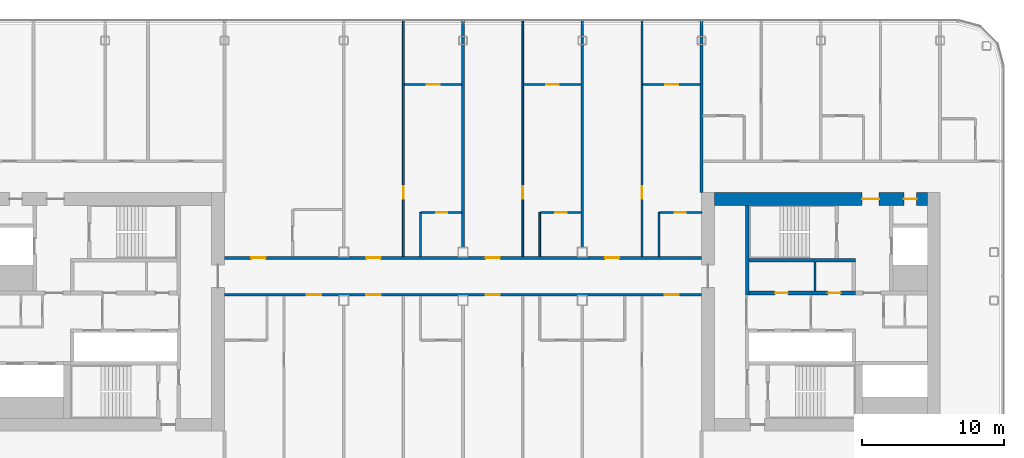
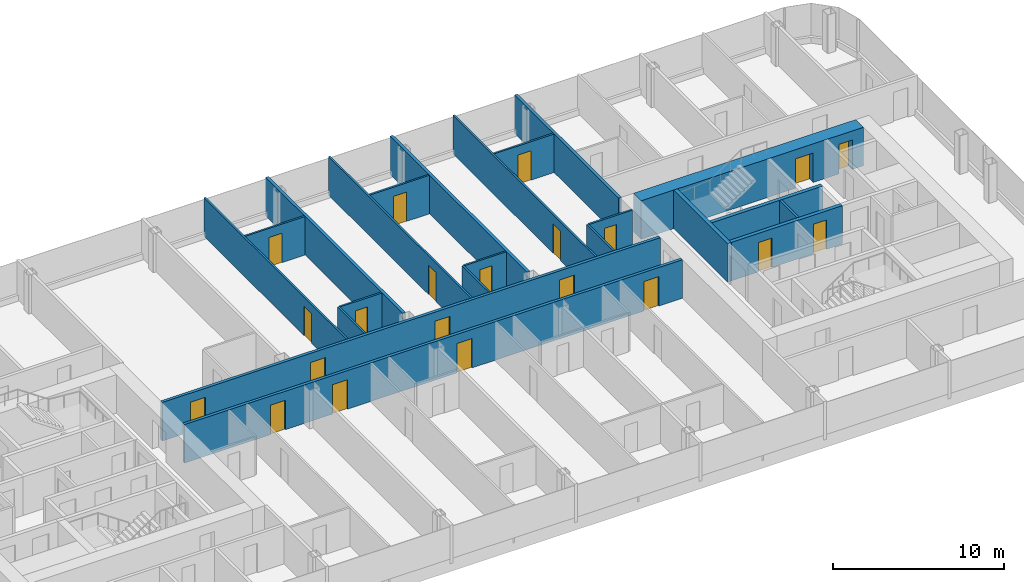
# One storey, part 16 of 26: 22 walls, 21 doors, 21 openings.
"""IFC4 building model written with IfcOpenShell, lengths in metres."""

from ifc_helpers import new_model, si_unit, direction, frame, frame_2d, origin, place, context, subcontext, project, spatial, rectangle, extrude, material, layer, layer_set, type_object, element, fill, save


model = new_model("IFC4")

# Units and contexts
model_context = context("Model", 3, precision=1e-05, world=origin(), true_north=direction((0.0, 1.0)))
body_context = subcontext(model_context, "Body", "Model", "MODEL_VIEW")
ifc_project = project(units=[si_unit("LENGTHUNIT", "METRE"), si_unit("AREAUNIT", "SQUARE_METRE"), si_unit("VOLUMEUNIT", "CUBIC_METRE"), si_unit("PLANEANGLEUNIT", "RADIAN"), si_unit("MASSUNIT", "GRAM", prefix="KILO")], contexts=[model_context])

# Site, building, storey
site_placement = place(None, origin())
site = spatial("IfcSite", under=ifc_project, at=site_placement, CompositionType="ELEMENT")
building_placement = place(site_placement, origin())
building = spatial("IfcBuilding", under=site, at=building_placement, Name="Hakoniwa Tower and Hamabe Station Hall", CompositionType="ELEMENT")
storey_placement = place(building_placement, frame((0.0, 0.0, 215.39990234375)))
storey = spatial("IfcBuildingStorey", under=building, at=storey_placement, Name="L61", CompositionType="ELEMENT", Elevation=215.39990234375)

# Wall, opening, door
ifc_material_1 = material(Name="Gypsum board partition", Category="gypsum")
ifc_layer_1 = layer(ifc_material_1, 0.125)
ifc_layer_set_1 = layer_set([ifc_layer_1], Name="Bathroom Partition 125")
wall_type_1 = type_object("IfcWallType", Name="Bathroom Partition 125", PredefinedType="PARTITIONING", material=ifc_layer_set_1)
wall_1_placement = place(storey_placement, frame((-2.9375, 7.0, 0.0), z_axis=(0.0, 0.0, 1.0), x_axis=(1.0, 0.0, 0.0)))
wall_1 = element("IfcWall", 1, at=wall_1_placement, inside=storey, type_object=wall_type_1, Name="GW-L61-011", PredefinedType="PARTITIONING", context=body_context, shape_type="SweptSolid", body=[
    extrude(rectangle(XDim=2.83740234375, YDim=0.125, at=frame_2d((1.418701171875, 0.0))), origin(), (0.0, 0.0, 1.0), 2.75),
])
opening_1_placement = place(wall_1_placement, frame((1.03759765625, 0.0, 0.0)))
opening_1 = element("IfcOpeningElement", 2, at=opening_1_placement, cuts=wall_1, Name="Opening GD-G4E1-25", PredefinedType="OPENING", context=body_context, shape_type="SweptSolid", body=[
    extrude(rectangle(XDim=0.800048828125, YDim=2.10009765625, at=frame_2d((0.39990234375, 1.050048828125))), frame((0.0, 0.072509765625, 0.0), z_axis=(0.0, -1.0, 0.0), x_axis=(1.0, 0.0, 0.0)), (0.0, 0.0, 1.0), 0.14501953125),
])
ifc_material_2 = material(Name="Timber door leaf", Category="wood")
door_type_1 = type_object("IfcDoorType", Name="Bathroom Door 800", OperationType="SINGLE_SWING_LEFT", PredefinedType="DOOR", material=ifc_material_2)
door_1_placement = place(opening_1_placement, origin())
door_1 = element("IfcDoor", 3, at=door_1_placement, inside=storey, type_object=door_type_1, Name="Door GD-G4E1-25", OperationType="SINGLE_SWING_LEFT", OverallHeight=2.10009765625, OverallWidth=0.800048828125, PredefinedType="DOOR", context=body_context, shape_type="SweptSolid", body=[
    extrude(rectangle(XDim=0.800048828125, YDim=2.10009765625, at=frame_2d((0.39990234375, 1.050048828125))), frame((0.0, 0.02490234375, 0.0), z_axis=(0.0, -1.0, 0.0), x_axis=(1.0, 0.0, 0.0)), (0.0, 0.0, 1.0), 0.050048828125),
])
fill(opening_1, door_1)

wall_2_placement = place(storey_placement, frame((5.46240234375, 7.0, 0.0), z_axis=(0.0, 0.0, 1.0), x_axis=(1.0, 0.0, 0.0)))
wall_2 = element("IfcWall", 4, at=wall_2_placement, inside=storey, type_object=wall_type_1, Name="GW-L61-012", PredefinedType="PARTITIONING", context=body_context, shape_type="SweptSolid", body=[
    extrude(rectangle(XDim=2.837646484375, YDim=0.125, at=frame_2d((1.4189453125, 0.0))), origin(), (0.0, 0.0, 1.0), 2.75),
])
opening_2_placement = place(wall_2_placement, frame((1.03759765625, 0.0, 0.0)))
opening_2 = element("IfcOpeningElement", 5, at=opening_2_placement, cuts=wall_2, Name="Opening GD-G4E1-26", PredefinedType="OPENING", context=body_context, shape_type="SweptSolid", body=[
    extrude(rectangle(XDim=0.800048828125, YDim=2.10009765625, at=frame_2d((0.39990234375, 1.050048828125))), frame((0.0, 0.072509765625, 0.0), z_axis=(0.0, -1.0, 0.0), x_axis=(1.0, 0.0, 0.0)), (0.0, 0.0, 1.0), 0.14501953125),
])
door_2_placement = place(opening_2_placement, origin())
door_2 = element("IfcDoor", 6, at=door_2_placement, inside=storey, type_object=door_type_1, Name="Door GD-G4E1-26", OperationType="SINGLE_SWING_RIGHT", OverallHeight=2.10009765625, OverallWidth=0.800048828125, PredefinedType="DOOR", context=body_context, shape_type="SweptSolid", body=[
    extrude(rectangle(XDim=0.800048828125, YDim=2.10009765625, at=frame_2d((0.39990234375, 1.050048828125))), frame((0.0, 0.02490234375, 0.0), z_axis=(0.0, -1.0, 0.0), x_axis=(1.0, 0.0, 0.0)), (0.0, 0.0, 1.0), 0.050048828125),
])
fill(opening_2, door_2)

wall_3_placement = place(storey_placement, frame((13.862548828125, 7.0, 0.0), z_axis=(0.0, 0.0, 1.0), x_axis=(1.0, 0.0, 0.0)))
wall_3 = element("IfcWall", 7, at=wall_3_placement, inside=storey, type_object=wall_type_1, Name="GW-L61-013", PredefinedType="PARTITIONING", context=body_context, shape_type="SweptSolid", body=[
    extrude(rectangle(XDim=2.947509765625, YDim=0.125, at=frame_2d((1.4736328125, 0.0))), origin(), (0.0, 0.0, 1.0), 2.75),
])
opening_3_placement = place(wall_3_placement, frame((1.03759765625, 0.0, 0.0)))
opening_3 = element("IfcOpeningElement", 8, at=opening_3_placement, cuts=wall_3, Name="Opening GD-G4E1-27", PredefinedType="OPENING", context=body_context, shape_type="SweptSolid", body=[
    extrude(rectangle(XDim=0.800048828125, YDim=2.10009765625, at=frame_2d((0.39990234375, 1.050048828125))), frame((0.0, 0.072509765625, 0.0), z_axis=(0.0, -1.0, 0.0), x_axis=(1.0, 0.0, 0.0)), (0.0, 0.0, 1.0), 0.14501953125),
])
door_3_placement = place(opening_3_placement, origin())
door_3 = element("IfcDoor", 9, at=door_3_placement, inside=storey, type_object=door_type_1, Name="Door GD-G4E1-27", OperationType="SINGLE_SWING_LEFT", OverallHeight=2.10009765625, OverallWidth=0.800048828125, PredefinedType="DOOR", context=body_context, shape_type="SweptSolid", body=[
    extrude(rectangle(XDim=0.800048828125, YDim=2.10009765625, at=frame_2d((0.39990234375, 1.050048828125))), frame((0.0, 0.02490234375, 0.0), z_axis=(0.0, -1.0, 0.0), x_axis=(1.0, 0.0, 0.0)), (0.0, 0.0, 1.0), 0.050048828125),
])
fill(opening_3, door_3)

# Walls
for number, where, z_axis, x_axis, name in (
    (10, (-3.0, 3.89990234375, 0.0), (0.0, 0.0, 1.0), (0.0, 1.0, 0.0), "GW-L61-041"),
    (11, (5.39990234375, 3.89990234375, 0.0), (0.0, 0.0, 1.0), (0.0, 1.0, 0.0), "GW-L61-047"),
    (12, (13.800048828125, 3.89990234375, 0.0), (0.0, 0.0, 1.0), (0.0, 1.0, 0.0), "GW-L61-053"),
):
    element("IfcWall", number, at=place(storey_placement, frame(where, z_axis=z_axis, x_axis=x_axis)), inside=storey, type_object=wall_type_1, Name=name, PredefinedType="PARTITIONING", context=body_context, shape_type="SweptSolid", body=[
        extrude(rectangle(XDim=3.10009765625, YDim=0.125, at=frame_2d((1.550048828125, 0.0))), origin(), (0.0, 0.0, 1.0), 2.75),
    ])
ifc_material_3 = material(Name="Gypsum board partition")
ifc_layer_2 = layer(ifc_material_3, 0.14990234375)
ifc_layer_set_2 = layer_set([ifc_layer_2], Name="CORE PARTITION 150 EI 60")
wall_type_2 = type_object("IfcWallType", Name="CORE PARTITION 150 EI 60", PredefinedType="PARTITIONING", material=ifc_layer_set_2)
wall_4_placement = place(storey_placement, frame((24.800048828125, 1.449951171875, 0.0), z_axis=(0.0, 0.0, 1.0), x_axis=(0.0, 1.0, 0.0)))
element("IfcWall", 13, at=wall_4_placement, inside=storey, type_object=wall_type_2, Name="Core partition PFLR0 east", PredefinedType="PARTITIONING", context=body_context, shape_type="SweptSolid", body=[
    extrude(rectangle(XDim=2.050048828125, YDim=0.14990234375, at=frame_2d((1.02490234375, 0.0))), origin(), (0.0, 0.0, 1.0), 2.75),
])

# Wall, openings, doors
ifc_material_4 = material(Name="Concrete C60", Category="concrete")
ifc_layer_3 = layer(ifc_material_4, 0.89990234375)
ifc_layer_set_3 = layer_set([ifc_layer_3], Name="CORE WALL 900 C60")
wall_type_3 = type_object("IfcWallType", Name="CORE WALL 900 C60", PredefinedType="SHEAR", material=ifc_layer_set_3)
wall_5_placement = place(storey_placement, frame((17.699951171875, 7.949951171875, 0.0), z_axis=(0.0, 0.0, 1.0), x_axis=(1.0, 0.0, 0.0)))
wall_5 = element("IfcWall", 14, at=wall_5_placement, inside=storey, type_object=wall_type_3, Name="Core wall NORTH east", PredefinedType="SHEAR", context=body_context, shape_type="SweptSolid", body=[
    extrude(rectangle(XDim=15.0, YDim=0.89990234375, at=frame_2d((7.5, 0.0))), origin(), (0.0, 0.0, 1.0), 2.75),
])
opening_4_placement = place(wall_5_placement, frame((10.39990234375, 0.0, 0.0)))
opening_4 = element("IfcOpeningElement", 15, at=opening_4_placement, cuts=wall_5, Name="Opening CD-E-FN1-12", PredefinedType="OPENING", context=body_context, shape_type="SweptSolid", body=[
    extrude(rectangle(XDim=1.199951171875, YDim=2.10009765625, at=frame_2d((0.60009765625, 1.050048828125))), frame((0.0, 0.4599609375, 0.0), z_axis=(0.0, -1.0, 0.0), x_axis=(1.0, 0.0, 0.0)), (0.0, 0.0, 1.0), 0.919921875),
])
opening_5_placement = place(wall_5_placement, frame((13.35009765625, 0.0, 0.0)))
opening_5 = element("IfcOpeningElement", 16, at=opening_5_placement, cuts=wall_5, Name="Opening CD-E-FN2-9", PredefinedType="OPENING", context=body_context, shape_type="SweptSolid", body=[
    extrude(rectangle(XDim=0.89990234375, YDim=2.10009765625, at=frame_2d((0.449951171875, 1.050048828125))), frame((0.0, 0.4599609375, 0.0), z_axis=(0.0, -1.0, 0.0), x_axis=(1.0, 0.0, 0.0)), (0.0, 0.0, 1.0), 0.919921875),
])
ifc_material_5 = material(Name="Steel fire door", Category="steel")
door_type_2 = type_object("IfcDoorType", Name="CORE DOOR 1200 FD60", OperationType="DOUBLE_DOOR_SINGLE_SWING", PredefinedType="DOOR", material=ifc_material_5)
door_4_placement = place(opening_4_placement, origin())
door_4 = element("IfcDoor", 17, at=door_4_placement, inside=storey, type_object=door_type_2, Name="Stair vestibule door to the fire-fighting lobby", OperationType="DOUBLE_DOOR_SINGLE_SWING", OverallHeight=2.10009765625, OverallWidth=1.199951171875, PredefinedType="DOOR", context=body_context, shape_type="SweptSolid", body=[
    extrude(rectangle(XDim=1.199951171875, YDim=2.10009765625, at=frame_2d((0.60009765625, 1.050048828125))), frame((0.0, 0.02490234375, 0.0), z_axis=(0.0, -1.0, 0.0), x_axis=(1.0, 0.0, 0.0)), (0.0, 0.0, 1.0), 0.050048828125),
])
fill(opening_4, door_4)
ifc_material_6 = material(Name="Steel fire door", Category="steel")
door_type_3 = type_object("IfcDoorType", Name="CORE DOOR 900 FD30", OperationType="NOTDEFINED", PredefinedType="DOOR", material=ifc_material_6)
door_5_placement = place(opening_5_placement, origin())
door_5 = element("IfcDoor", 18, at=door_5_placement, inside=storey, type_object=door_type_3, Name="Riser access door", OperationType="SINGLE_SWING_RIGHT", OverallHeight=2.10009765625, OverallWidth=0.89990234375, PredefinedType="DOOR", context=body_context, shape_type="SweptSolid", body=[
    extrude(rectangle(XDim=0.89990234375, YDim=2.10009765625, at=frame_2d((0.449951171875, 1.050048828125))), frame((0.0, 0.02490234375, 0.0), z_axis=(0.0, -1.0, 0.0), x_axis=(1.0, 0.0, 0.0)), (0.0, 0.0, 1.0), 0.050048828125),
])
fill(opening_5, door_5)

# Wall
ifc_material_7 = material(Name="Concrete C60", Category="concrete")
ifc_layer_4 = layer(ifc_material_7, 0.25)
ifc_layer_set_4 = layer_set([ifc_layer_4], Name="CORE WEB WALL 250 C60")
wall_type_4 = type_object("IfcWallType", Name="CORE WEB WALL 250 C60", PredefinedType="SHEAR", material=ifc_layer_set_4)
wall_6_placement = place(storey_placement, frame((20.02490234375, 1.199951171875, 0.0), z_axis=(0.0, 0.0, 1.0), x_axis=(0.0, 1.0, 0.0)))
element("IfcWall", 19, at=wall_6_placement, inside=storey, type_object=wall_type_4, Name="Core wall W1N east", PredefinedType="SHEAR", context=body_context, shape_type="SweptSolid", body=[
    extrude(rectangle(XDim=6.300048828125, YDim=0.25, at=frame_2d((3.14990234375, 0.0))), origin(), (0.0, 0.0, 1.0), 2.75),
])

# Wall, openings, doors
wall_7_placement = place(storey_placement, frame((20.14990234375, 1.324951171875, 0.0), z_axis=(0.0, 0.0, 1.0), x_axis=(1.0, 0.0, 0.0)))
wall_7 = element("IfcWall", 20, at=wall_7_placement, inside=storey, type_object=wall_type_4, Name="Core wall NF east", PredefinedType="SHEAR", context=body_context, shape_type="SweptSolid", body=[
    extrude(rectangle(XDim=7.5, YDim=0.25, at=frame_2d((3.75, 0.0))), origin(), (0.0, 0.0, 1.0), 2.75),
])
opening_6_placement = place(wall_7_placement, frame((1.83740234375, 0.0, 0.0)))
opening_6 = element("IfcOpeningElement", 21, at=opening_6_placement, cuts=wall_7, Name="Opening CD-E-FRLR0-9", PredefinedType="OPENING", context=body_context, shape_type="SweptSolid", body=[
    extrude(rectangle(XDim=0.89990234375, YDim=2.10009765625, at=frame_2d((0.449951171875, 1.050048828125))), frame((0.0, 0.135009765625, 0.0), z_axis=(0.0, -1.0, 0.0), x_axis=(1.0, 0.0, 0.0)), (0.0, 0.0, 1.0), 0.27001953125),
])
opening_7_placement = place(wall_7_placement, frame((5.53759765625, 0.0, 0.0)))
opening_7 = element("IfcOpeningElement", 22, at=opening_7_placement, cuts=wall_7, Name="Opening CD-E-FRLR1-9", PredefinedType="OPENING", context=body_context, shape_type="SweptSolid", body=[
    extrude(rectangle(XDim=0.89990234375, YDim=2.10009765625, at=frame_2d((0.449951171875, 1.050048828125))), frame((0.0, 0.135009765625, 0.0), z_axis=(0.0, -1.0, 0.0), x_axis=(1.0, 0.0, 0.0)), (0.0, 0.0, 1.0), 0.27001953125),
])
door_6_placement = place(opening_6_placement, origin())
door_6 = element("IfcDoor", 23, at=door_6_placement, inside=storey, type_object=door_type_3, Name="Store room door", OperationType="SINGLE_SWING_RIGHT", OverallHeight=2.10009765625, OverallWidth=0.89990234375, PredefinedType="DOOR", context=body_context, shape_type="SweptSolid", body=[
    extrude(rectangle(XDim=0.89990234375, YDim=2.10009765625, at=frame_2d((0.449951171875, 1.050048828125))), frame((0.0, 0.02490234375, 0.0), z_axis=(0.0, -1.0, 0.0), x_axis=(1.0, 0.0, 0.0)), (0.0, 0.0, 1.0), 0.050048828125),
])
fill(opening_6, door_6)
door_7_placement = place(opening_7_placement, origin())
door_7 = element("IfcDoor", 24, at=door_7_placement, inside=storey, type_object=door_type_3, Name="Store room door", OperationType="SINGLE_SWING_LEFT", OverallHeight=2.10009765625, OverallWidth=0.89990234375, PredefinedType="DOOR", context=body_context, shape_type="SweptSolid", body=[
    extrude(rectangle(XDim=0.89990234375, YDim=2.10009765625, at=frame_2d((0.449951171875, 1.050048828125))), frame((0.0, 0.02490234375, 0.0), z_axis=(0.0, -1.0, 0.0), x_axis=(1.0, 0.0, 0.0)), (0.0, 0.0, 1.0), 0.050048828125),
])
fill(opening_7, door_7)

# Wall
wall_8_placement = place(storey_placement, frame((20.14990234375, 3.625, 0.0), z_axis=(0.0, 0.0, 1.0), x_axis=(1.0, 0.0, 0.0)))
element("IfcWall", 25, at=wall_8_placement, inside=storey, type_object=wall_type_4, Name="Core wall NR east", PredefinedType="SHEAR", context=body_context, shape_type="SweptSolid", body=[
    extrude(rectangle(XDim=7.5, YDim=0.25, at=frame_2d((3.75, 0.0))), origin(), (0.0, 0.0, 1.0), 2.75),
])

# Wall, openings, doors
ifc_material_8 = material(Name="Fire-rated gypsum board partition", Category="gypsum")
ifc_layer_5 = layer(ifc_material_8, 0.199951171875)
ifc_layer_set_5 = layer_set([ifc_layer_5], Name="Corridor Wall 200")
wall_type_5 = type_object("IfcWallType", Name="Corridor Wall 200", PredefinedType="PARTITIONING", material=ifc_layer_set_5)
wall_9_placement = place(storey_placement, frame((-16.800048828125, 1.199951171875, 0.0), z_axis=(0.0, 0.0, 1.0), x_axis=(1.0, 0.0, 0.0)))
wall_9 = element("IfcWall", 26, at=wall_9_placement, inside=storey, type_object=wall_type_5, Name="GW-L61-009", PredefinedType="PARTITIONING", context=body_context, shape_type="SweptSolid", body=[
    extrude(rectangle(XDim=33.60009765625, YDim=0.199951171875, at=frame_2d((16.800048828125, 0.0))), origin(), (0.0, 0.0, 1.0), 2.75),
])
opening_8_placement = place(wall_9_placement, frame((5.800048828125, 0.0, 0.0)))
opening_8 = element("IfcOpeningElement", 27, at=opening_8_placement, cuts=wall_9, Name="Opening GD-G4E1-17", PredefinedType="OPENING", context=body_context, shape_type="SweptSolid", body=[
    extrude(rectangle(XDim=1.0, YDim=2.10009765625, at=frame_2d((0.5, 1.050048828125))), frame((0.0, 0.10986328125, 0.0), z_axis=(0.0, -1.0, 0.0), x_axis=(1.0, 0.0, 0.0)), (0.0, 0.0, 1.0), 0.219970703125),
])
opening_9_placement = place(wall_9_placement, frame((10.0, 0.0, 0.0)))
opening_9 = element("IfcOpeningElement", 28, at=opening_9_placement, cuts=wall_9, Name="Opening GD-G4E1-18", PredefinedType="OPENING", context=body_context, shape_type="SweptSolid", body=[
    extrude(rectangle(XDim=1.0, YDim=2.10009765625, at=frame_2d((0.5, 1.050048828125))), frame((0.0, 0.10986328125, 0.0), z_axis=(0.0, -1.0, 0.0), x_axis=(1.0, 0.0, 0.0)), (0.0, 0.0, 1.0), 0.219970703125),
])
opening_10_placement = place(wall_9_placement, frame((18.39990234375, 0.0, 0.0)))
opening_10 = element("IfcOpeningElement", 29, at=opening_10_placement, cuts=wall_9, Name="Opening GD-G4E1-19", PredefinedType="OPENING", context=body_context, shape_type="SweptSolid", body=[
    extrude(rectangle(XDim=1.0, YDim=2.10009765625, at=frame_2d((0.5, 1.050048828125))), frame((0.0, 0.10986328125, 0.0), z_axis=(0.0, -1.0, 0.0), x_axis=(1.0, 0.0, 0.0)), (0.0, 0.0, 1.0), 0.219970703125),
])
opening_11_placement = place(wall_9_placement, frame((31.0, 0.0, 0.0)))
opening_11 = element("IfcOpeningElement", 30, at=opening_11_placement, cuts=wall_9, Name="Opening GD-G4E1-20", PredefinedType="OPENING", context=body_context, shape_type="SweptSolid", body=[
    extrude(rectangle(XDim=1.0, YDim=2.10009765625, at=frame_2d((0.5, 1.050048828125))), frame((0.0, 0.10986328125, 0.0), z_axis=(0.0, -1.0, 0.0), x_axis=(1.0, 0.0, 0.0)), (0.0, 0.0, 1.0), 0.219970703125),
])
ifc_material_9 = material(Name="Timber door leaf", Category="wood")
door_type_4 = type_object("IfcDoorType", Name="Guest Entrance Door 1000", OperationType="SINGLE_SWING_LEFT", PredefinedType="DOOR", material=ifc_material_9)
door_8_placement = place(opening_8_placement, origin())
door_8 = element("IfcDoor", 31, at=door_8_placement, inside=storey, type_object=door_type_4, Name="Door GD-G4E1-17", OperationType="SINGLE_SWING_LEFT", OverallHeight=2.10009765625, OverallWidth=1.0, PredefinedType="DOOR", context=body_context, shape_type="SweptSolid", body=[
    extrude(rectangle(XDim=1.0, YDim=2.10009765625, at=frame_2d((0.5, 1.050048828125))), frame((0.0, 0.02490234375, 0.0), z_axis=(0.0, -1.0, 0.0), x_axis=(1.0, 0.0, 0.0)), (0.0, 0.0, 1.0), 0.050048828125),
])
fill(opening_8, door_8)
door_9_placement = place(opening_9_placement, origin())
door_9 = element("IfcDoor", 32, at=door_9_placement, inside=storey, type_object=door_type_4, Name="Door GD-G4E1-18", OperationType="SINGLE_SWING_RIGHT", OverallHeight=2.10009765625, OverallWidth=1.0, PredefinedType="DOOR", context=body_context, shape_type="SweptSolid", body=[
    extrude(rectangle(XDim=1.0, YDim=2.10009765625, at=frame_2d((0.5, 1.050048828125))), frame((0.0, 0.02490234375, 0.0), z_axis=(0.0, -1.0, 0.0), x_axis=(1.0, 0.0, 0.0)), (0.0, 0.0, 1.0), 0.050048828125),
])
fill(opening_9, door_9)
door_10_placement = place(opening_10_placement, origin())
door_10 = element("IfcDoor", 33, at=door_10_placement, inside=storey, type_object=door_type_4, Name="Door GD-G4E1-19", OperationType="SINGLE_SWING_RIGHT", OverallHeight=2.10009765625, OverallWidth=1.0, PredefinedType="DOOR", context=body_context, shape_type="SweptSolid", body=[
    extrude(rectangle(XDim=1.0, YDim=2.10009765625, at=frame_2d((0.5, 1.050048828125))), frame((0.0, 0.02490234375, 0.0), z_axis=(0.0, -1.0, 0.0), x_axis=(1.0, 0.0, 0.0)), (0.0, 0.0, 1.0), 0.050048828125),
])
fill(opening_10, door_10)
door_11_placement = place(opening_11_placement, origin())
door_11 = element("IfcDoor", 34, at=door_11_placement, inside=storey, type_object=door_type_4, Name="Door GD-G4E1-20", OperationType="SINGLE_SWING_LEFT", OverallHeight=2.10009765625, OverallWidth=1.0, PredefinedType="DOOR", context=body_context, shape_type="SweptSolid", body=[
    extrude(rectangle(XDim=1.0, YDim=2.10009765625, at=frame_2d((0.5, 1.050048828125))), frame((0.0, 0.02490234375, 0.0), z_axis=(0.0, -1.0, 0.0), x_axis=(1.0, 0.0, 0.0)), (0.0, 0.0, 1.0), 0.050048828125),
])
fill(opening_11, door_11)

wall_10_placement = place(storey_placement, frame((-16.800048828125, 3.800048828125, 0.0), z_axis=(0.0, 0.0, 1.0), x_axis=(1.0, 0.0, 0.0)))
wall_10 = element("IfcWall", 35, at=wall_10_placement, inside=storey, type_object=wall_type_5, Name="GW-L61-010", PredefinedType="PARTITIONING", context=body_context, shape_type="SweptSolid", body=[
    extrude(rectangle(XDim=33.60009765625, YDim=0.199951171875, at=frame_2d((16.800048828125, 0.0))), origin(), (0.0, 0.0, 1.0), 2.75),
])
opening_12_placement = place(wall_10_placement, frame((1.89990234375, 0.0, 0.0)))
opening_12 = element("IfcOpeningElement", 36, at=opening_12_placement, cuts=wall_10, Name="Opening GD-G4E1-21", PredefinedType="OPENING", context=body_context, shape_type="SweptSolid", body=[
    extrude(rectangle(XDim=1.0, YDim=2.10009765625, at=frame_2d((0.5, 1.050048828125))), frame((0.0, 0.10986328125, 0.0), z_axis=(0.0, -1.0, 0.0), x_axis=(1.0, 0.0, 0.0)), (0.0, 0.0, 1.0), 0.219970703125),
])
opening_13_placement = place(wall_10_placement, frame((10.0, 0.0, 0.0)))
opening_13 = element("IfcOpeningElement", 37, at=opening_13_placement, cuts=wall_10, Name="Opening GD-G4E1-22", PredefinedType="OPENING", context=body_context, shape_type="SweptSolid", body=[
    extrude(rectangle(XDim=1.0, YDim=2.10009765625, at=frame_2d((0.5, 1.050048828125))), frame((0.0, 0.10986328125, 0.0), z_axis=(0.0, -1.0, 0.0), x_axis=(1.0, 0.0, 0.0)), (0.0, 0.0, 1.0), 0.219970703125),
])
opening_14_placement = place(wall_10_placement, frame((18.39990234375, 0.0, 0.0)))
opening_14 = element("IfcOpeningElement", 38, at=opening_14_placement, cuts=wall_10, Name="Opening GD-G4E1-23", PredefinedType="OPENING", context=body_context, shape_type="SweptSolid", body=[
    extrude(rectangle(XDim=1.0, YDim=2.10009765625, at=frame_2d((0.5, 1.050048828125))), frame((0.0, 0.10986328125, 0.0), z_axis=(0.0, -1.0, 0.0), x_axis=(1.0, 0.0, 0.0)), (0.0, 0.0, 1.0), 0.219970703125),
])
opening_15_placement = place(wall_10_placement, frame((26.800048828125, 0.0, 0.0)))
opening_15 = element("IfcOpeningElement", 39, at=opening_15_placement, cuts=wall_10, Name="Opening GD-G4E1-24", PredefinedType="OPENING", context=body_context, shape_type="SweptSolid", body=[
    extrude(rectangle(XDim=1.0, YDim=2.10009765625, at=frame_2d((0.5, 1.050048828125))), frame((0.0, 0.10986328125, 0.0), z_axis=(0.0, -1.0, 0.0), x_axis=(1.0, 0.0, 0.0)), (0.0, 0.0, 1.0), 0.219970703125),
])
ifc_material_10 = material(Name="Timber door leaf", Category="wood")
door_type_5 = type_object("IfcDoorType", Name="Accessible Guest Entrance Door 1000", OperationType="SINGLE_SWING_LEFT", PredefinedType="DOOR", material=ifc_material_10)
door_12_placement = place(opening_12_placement, origin())
door_12 = element("IfcDoor", 40, at=door_12_placement, inside=storey, type_object=door_type_5, Name="Door GD-G4E1-21", OperationType="SINGLE_SWING_RIGHT", OverallHeight=2.10009765625, OverallWidth=1.0, PredefinedType="DOOR", context=body_context, shape_type="SweptSolid", body=[
    extrude(rectangle(XDim=1.0, YDim=2.10009765625, at=frame_2d((0.5, 1.050048828125))), frame((0.0, 0.02490234375, 0.0), z_axis=(0.0, -1.0, 0.0), x_axis=(1.0, 0.0, 0.0)), (0.0, 0.0, 1.0), 0.050048828125),
])
fill(opening_12, door_12)
door_13_placement = place(opening_13_placement, origin())
door_13 = element("IfcDoor", 41, at=door_13_placement, inside=storey, type_object=door_type_4, Name="Door GD-G4E1-22", OperationType="SINGLE_SWING_LEFT", OverallHeight=2.10009765625, OverallWidth=1.0, PredefinedType="DOOR", context=body_context, shape_type="SweptSolid", body=[
    extrude(rectangle(XDim=1.0, YDim=2.10009765625, at=frame_2d((0.5, 1.050048828125))), frame((0.0, 0.02490234375, 0.0), z_axis=(0.0, -1.0, 0.0), x_axis=(1.0, 0.0, 0.0)), (0.0, 0.0, 1.0), 0.050048828125),
])
fill(opening_13, door_13)
door_14_placement = place(opening_14_placement, origin())
door_14 = element("IfcDoor", 42, at=door_14_placement, inside=storey, type_object=door_type_4, Name="Door GD-G4E1-23", OperationType="SINGLE_SWING_LEFT", OverallHeight=2.10009765625, OverallWidth=1.0, PredefinedType="DOOR", context=body_context, shape_type="SweptSolid", body=[
    extrude(rectangle(XDim=1.0, YDim=2.10009765625, at=frame_2d((0.5, 1.050048828125))), frame((0.0, 0.02490234375, 0.0), z_axis=(0.0, -1.0, 0.0), x_axis=(1.0, 0.0, 0.0)), (0.0, 0.0, 1.0), 0.050048828125),
])
fill(opening_14, door_14)
door_15_placement = place(opening_15_placement, origin())
door_15 = element("IfcDoor", 43, at=door_15_placement, inside=storey, type_object=door_type_4, Name="Door GD-G4E1-24", OperationType="SINGLE_SWING_LEFT", OverallHeight=2.10009765625, OverallWidth=1.0, PredefinedType="DOOR", context=body_context, shape_type="SweptSolid", body=[
    extrude(rectangle(XDim=1.0, YDim=2.10009765625, at=frame_2d((0.5, 1.050048828125))), frame((0.0, 0.02490234375, 0.0), z_axis=(0.0, -1.0, 0.0), x_axis=(1.0, 0.0, 0.0)), (0.0, 0.0, 1.0), 0.050048828125),
])
fill(opening_15, door_15)

# Walls
ifc_material_11 = material(Name="Fire-rated gypsum board partition", Category="gypsum")
ifc_layer_6 = layer(ifc_material_11, 0.199951171875)
ifc_layer_set_6 = layer_set([ifc_layer_6], Name="Party Wall 200")
wall_type_6 = type_object("IfcWallType", Name="Party Wall 200", PredefinedType="PARTITIONING", material=ifc_layer_set_6)
for number, where, z_axis, x_axis, name in (
    (44, (0.0, 4.5400390625, 0.0), (0.0, 0.0, 1.0), (0.0, 1.0, 0.0), "GW-L61-043"),
    (45, (8.39990234375, 4.5400390625, 0.0), (0.0, 0.0, 1.0), (0.0, 1.0, 0.0), "GW-L61-049"),
):
    element("IfcWall", number, at=place(storey_placement, frame(where, z_axis=z_axis, x_axis=x_axis)), inside=storey, type_object=wall_type_6, Name=name, PredefinedType="PARTITIONING", context=body_context, shape_type="SweptSolid", body=[
        extrude(rectangle(XDim=16.010009765625, YDim=0.199951171875, at=frame_2d((8.0048828125, 0.0))), origin(), (0.0, 0.0, 1.0), 2.75),
    ])
wall_11_placement = place(storey_placement, frame((16.800048828125, 8.389892578125, 0.0), z_axis=(0.0, 0.0, 1.0), x_axis=(0.0, 1.0, 0.0)))
element("IfcWall", 46, at=wall_11_placement, inside=storey, type_object=wall_type_6, Name="GW-L61-055", PredefinedType="PARTITIONING", context=body_context, shape_type="SweptSolid", body=[
    extrude(rectangle(XDim=12.16015625, YDim=0.199951171875, at=frame_2d((6.080078125, 0.0))), origin(), (0.0, 0.0, 1.0), 2.75),
])

# Wall, opening, door
ifc_material_12 = material(Name="Gypsum board partition", Category="gypsum")
ifc_layer_7 = layer(ifc_material_12, 0.125)
ifc_layer_set_7 = layer_set([ifc_layer_7], Name="Room Partition 125")
wall_type_7 = type_object("IfcWallType", Name="Room Partition 125", PredefinedType="PARTITIONING", material=ifc_layer_set_7)
wall_12_placement = place(storey_placement, frame((-4.137451171875, 16.0, 0.0), z_axis=(0.0, 0.0, 1.0), x_axis=(1.0, 0.0, 0.0)))
wall_12 = element("IfcWall", 47, at=wall_12_placement, inside=storey, type_object=wall_type_7, Name="GW-L61-020", PredefinedType="PARTITIONING", context=body_context, shape_type="SweptSolid", body=[
    extrude(rectangle(XDim=4.037353515625, YDim=0.125, at=frame_2d((2.0185546875, 0.0))), origin(), (0.0, 0.0, 1.0), 2.75),
])
opening_16_placement = place(wall_12_placement, frame((1.58740234375, 0.0, 0.0)))
opening_16 = element("IfcOpeningElement", 48, at=opening_16_placement, cuts=wall_12, Name="Opening GD-G4E1-38", PredefinedType="OPENING", context=body_context, shape_type="SweptSolid", body=[
    extrude(rectangle(XDim=0.89990234375, YDim=2.10009765625, at=frame_2d((0.449951171875, 1.050048828125))), frame((0.0, 0.072509765625, 0.0), z_axis=(0.0, -1.0, 0.0), x_axis=(1.0, 0.0, 0.0)), (0.0, 0.0, 1.0), 0.14501953125),
])
ifc_material_13 = material(Name="Timber door leaf", Category="wood")
door_type_6 = type_object("IfcDoorType", Name="Suite Interior Door 900", OperationType="SINGLE_SWING_LEFT", PredefinedType="DOOR", material=ifc_material_13)
door_16_placement = place(opening_16_placement, origin())
door_16 = element("IfcDoor", 49, at=door_16_placement, inside=storey, type_object=door_type_6, Name="Door GD-G4E1-38", OperationType="SINGLE_SWING_RIGHT", OverallHeight=2.10009765625, OverallWidth=0.89990234375, PredefinedType="DOOR", context=body_context, shape_type="SweptSolid", body=[
    extrude(rectangle(XDim=0.89990234375, YDim=2.10009765625, at=frame_2d((0.449951171875, 1.050048828125))), frame((0.0, 0.02490234375, 0.0), z_axis=(0.0, -1.0, 0.0), x_axis=(1.0, 0.0, 0.0)), (0.0, 0.0, 1.0), 0.050048828125),
])
fill(opening_16, door_16)

wall_13_placement = place(storey_placement, frame((4.262451171875, 16.0, 0.0), z_axis=(0.0, 0.0, 1.0), x_axis=(1.0, 0.0, 0.0)))
wall_13 = element("IfcWall", 50, at=wall_13_placement, inside=storey, type_object=wall_type_7, Name="GW-L61-021", PredefinedType="PARTITIONING", context=body_context, shape_type="SweptSolid", body=[
    extrude(rectangle(XDim=4.03759765625, YDim=0.125, at=frame_2d((2.018798828125, 0.0))), origin(), (0.0, 0.0, 1.0), 2.75),
])
opening_17_placement = place(wall_13_placement, frame((1.58740234375, 0.0, 0.0)))
opening_17 = element("IfcOpeningElement", 51, at=opening_17_placement, cuts=wall_13, Name="Opening GD-G4E1-39", PredefinedType="OPENING", context=body_context, shape_type="SweptSolid", body=[
    extrude(rectangle(XDim=0.89990234375, YDim=2.10009765625, at=frame_2d((0.449951171875, 1.050048828125))), frame((0.0, 0.072509765625, 0.0), z_axis=(0.0, -1.0, 0.0), x_axis=(1.0, 0.0, 0.0)), (0.0, 0.0, 1.0), 0.14501953125),
])
door_17_placement = place(opening_17_placement, origin())
door_17 = element("IfcDoor", 52, at=door_17_placement, inside=storey, type_object=door_type_6, Name="Door GD-G4E1-39", OperationType="SINGLE_SWING_LEFT", OverallHeight=2.10009765625, OverallWidth=0.89990234375, PredefinedType="DOOR", context=body_context, shape_type="SweptSolid", body=[
    extrude(rectangle(XDim=0.89990234375, YDim=2.10009765625, at=frame_2d((0.449951171875, 1.050048828125))), frame((0.0, 0.02490234375, 0.0), z_axis=(0.0, -1.0, 0.0), x_axis=(1.0, 0.0, 0.0)), (0.0, 0.0, 1.0), 0.050048828125),
])
fill(opening_17, door_17)

wall_14_placement = place(storey_placement, frame((12.66259765625, 16.0, 0.0), z_axis=(0.0, 0.0, 1.0), x_axis=(1.0, 0.0, 0.0)))
wall_14 = element("IfcWall", 53, at=wall_14_placement, inside=storey, type_object=wall_type_7, Name="GW-L61-022", PredefinedType="PARTITIONING", context=body_context, shape_type="SweptSolid", body=[
    extrude(rectangle(XDim=4.037353515625, YDim=0.125, at=frame_2d((2.0185546875, 0.0))), origin(), (0.0, 0.0, 1.0), 2.75),
])
opening_18_placement = place(wall_14_placement, frame((1.58740234375, 0.0, 0.0)))
opening_18 = element("IfcOpeningElement", 54, at=opening_18_placement, cuts=wall_14, Name="Opening GD-G4E1-40", PredefinedType="OPENING", context=body_context, shape_type="SweptSolid", body=[
    extrude(rectangle(XDim=0.89990234375, YDim=2.10009765625, at=frame_2d((0.449951171875, 1.050048828125))), frame((0.0, 0.072509765625, 0.0), z_axis=(0.0, -1.0, 0.0), x_axis=(1.0, 0.0, 0.0)), (0.0, 0.0, 1.0), 0.14501953125),
])
door_18_placement = place(opening_18_placement, origin())
door_18 = element("IfcDoor", 55, at=door_18_placement, inside=storey, type_object=door_type_6, Name="Door GD-G4E1-40", OperationType="SINGLE_SWING_LEFT", OverallHeight=2.10009765625, OverallWidth=0.89990234375, PredefinedType="DOOR", context=body_context, shape_type="SweptSolid", body=[
    extrude(rectangle(XDim=0.89990234375, YDim=2.10009765625, at=frame_2d((0.449951171875, 1.050048828125))), frame((0.0, 0.02490234375, 0.0), z_axis=(0.0, -1.0, 0.0), x_axis=(1.0, 0.0, 0.0)), (0.0, 0.0, 1.0), 0.050048828125),
])
fill(opening_18, door_18)

wall_15_placement = place(storey_placement, frame((-4.199951171875, 3.89990234375, 0.0), z_axis=(0.0, 0.0, 1.0), x_axis=(0.0, 1.0, 0.0)))
wall_15 = element("IfcWall", 56, at=wall_15_placement, inside=storey, type_object=wall_type_7, Name="GW-L61-039", PredefinedType="PARTITIONING", context=body_context, shape_type="SweptSolid", body=[
    extrude(rectangle(XDim=16.650146484375, YDim=0.125, at=frame_2d((8.3251953125, 0.0))), origin(), (0.0, 0.0, 1.0), 2.75),
])
opening_19_placement = place(wall_15_placement, frame((4.050048828125, 0.0, 0.0)))
opening_19 = element("IfcOpeningElement", 57, at=opening_19_placement, cuts=wall_15, Name="Opening GD-G4E1-44", PredefinedType="OPENING", context=body_context, shape_type="SweptSolid", body=[
    extrude(rectangle(XDim=0.89990234375, YDim=2.10009765625, at=frame_2d((0.449951171875, 1.050048828125))), frame((0.0, 0.072509765625, 0.0), z_axis=(0.0, -1.0, 0.0), x_axis=(1.0, 0.0, 0.0)), (0.0, 0.0, 1.0), 0.14501953125),
])
door_19_placement = place(opening_19_placement, origin())
door_19 = element("IfcDoor", 58, at=door_19_placement, inside=storey, type_object=door_type_6, Name="Door GD-G4E1-44", OperationType="SINGLE_SWING_RIGHT", OverallHeight=2.10009765625, OverallWidth=0.89990234375, PredefinedType="DOOR", context=body_context, shape_type="SweptSolid", body=[
    extrude(rectangle(XDim=0.89990234375, YDim=2.10009765625, at=frame_2d((0.449951171875, 1.050048828125))), frame((0.0, 0.02490234375, 0.0), z_axis=(0.0, -1.0, 0.0), x_axis=(1.0, 0.0, 0.0)), (0.0, 0.0, 1.0), 0.050048828125),
])
fill(opening_19, door_19)

wall_16_placement = place(storey_placement, frame((4.199951171875, 3.89990234375, 0.0), z_axis=(0.0, 0.0, 1.0), x_axis=(0.0, 1.0, 0.0)))
wall_16 = element("IfcWall", 59, at=wall_16_placement, inside=storey, type_object=wall_type_7, Name="GW-L61-045", PredefinedType="PARTITIONING", context=body_context, shape_type="SweptSolid", body=[
    extrude(rectangle(XDim=16.650146484375, YDim=0.125, at=frame_2d((8.3251953125, 0.0))), origin(), (0.0, 0.0, 1.0), 2.75),
])
opening_20_placement = place(wall_16_placement, frame((4.050048828125, 0.0, 0.0)))
opening_20 = element("IfcOpeningElement", 60, at=opening_20_placement, cuts=wall_16, Name="Opening GD-G4E1-46", PredefinedType="OPENING", context=body_context, shape_type="SweptSolid", body=[
    extrude(rectangle(XDim=0.89990234375, YDim=2.10009765625, at=frame_2d((0.449951171875, 1.050048828125))), frame((0.0, 0.072509765625, 0.0), z_axis=(0.0, -1.0, 0.0), x_axis=(1.0, 0.0, 0.0)), (0.0, 0.0, 1.0), 0.14501953125),
])
door_20_placement = place(opening_20_placement, origin())
door_20 = element("IfcDoor", 61, at=door_20_placement, inside=storey, type_object=door_type_6, Name="Door GD-G4E1-46", OperationType="SINGLE_SWING_RIGHT", OverallHeight=2.10009765625, OverallWidth=0.89990234375, PredefinedType="DOOR", context=body_context, shape_type="SweptSolid", body=[
    extrude(rectangle(XDim=0.89990234375, YDim=2.10009765625, at=frame_2d((0.449951171875, 1.050048828125))), frame((0.0, 0.02490234375, 0.0), z_axis=(0.0, -1.0, 0.0), x_axis=(1.0, 0.0, 0.0)), (0.0, 0.0, 1.0), 0.050048828125),
])
fill(opening_20, door_20)

wall_17_placement = place(storey_placement, frame((12.60009765625, 3.89990234375, 0.0), z_axis=(0.0, 0.0, 1.0), x_axis=(0.0, 1.0, 0.0)))
wall_17 = element("IfcWall", 62, at=wall_17_placement, inside=storey, type_object=wall_type_7, Name="GW-L61-052", PredefinedType="PARTITIONING", context=body_context, shape_type="SweptSolid", body=[
    extrude(rectangle(XDim=16.650146484375, YDim=0.125, at=frame_2d((8.3251953125, 0.0))), origin(), (0.0, 0.0, 1.0), 2.75),
])
opening_21_placement = place(wall_17_placement, frame((4.050048828125, 0.0, 0.0)))
opening_21 = element("IfcOpeningElement", 63, at=opening_21_placement, cuts=wall_17, Name="Opening GD-G4E1-48", PredefinedType="OPENING", context=body_context, shape_type="SweptSolid", body=[
    extrude(rectangle(XDim=0.89990234375, YDim=2.10009765625, at=frame_2d((0.449951171875, 1.050048828125))), frame((0.0, 0.072509765625, 0.0), z_axis=(0.0, -1.0, 0.0), x_axis=(1.0, 0.0, 0.0)), (0.0, 0.0, 1.0), 0.14501953125),
])
door_21_placement = place(opening_21_placement, origin())
door_21 = element("IfcDoor", 64, at=door_21_placement, inside=storey, type_object=door_type_6, Name="Door GD-G4E1-48", OperationType="SINGLE_SWING_RIGHT", OverallHeight=2.10009765625, OverallWidth=0.89990234375, PredefinedType="DOOR", context=body_context, shape_type="SweptSolid", body=[
    extrude(rectangle(XDim=0.89990234375, YDim=2.10009765625, at=frame_2d((0.449951171875, 1.050048828125))), frame((0.0, 0.02490234375, 0.0), z_axis=(0.0, -1.0, 0.0), x_axis=(1.0, 0.0, 0.0)), (0.0, 0.0, 1.0), 0.050048828125),
])
fill(opening_21, door_21)

save(model, "model.ifc")
